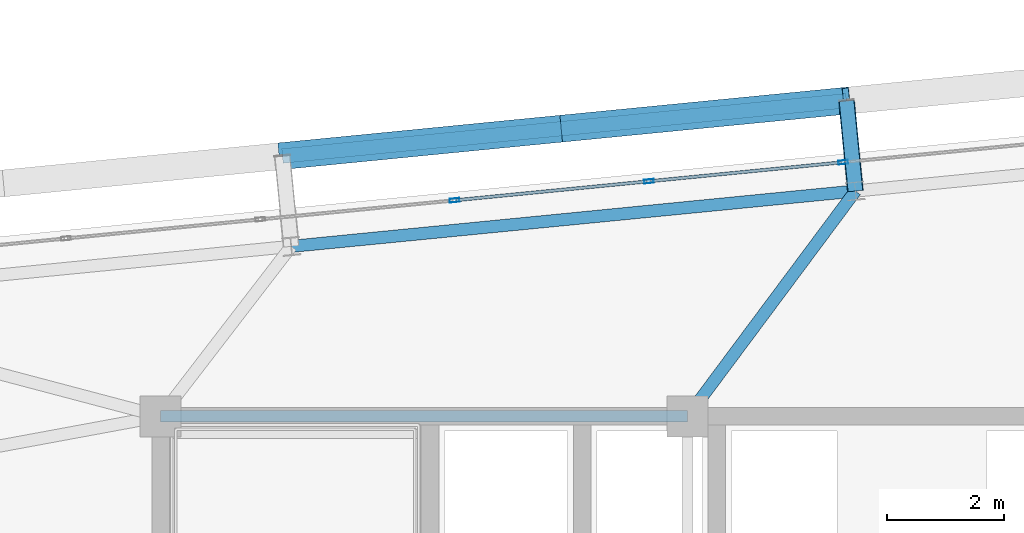
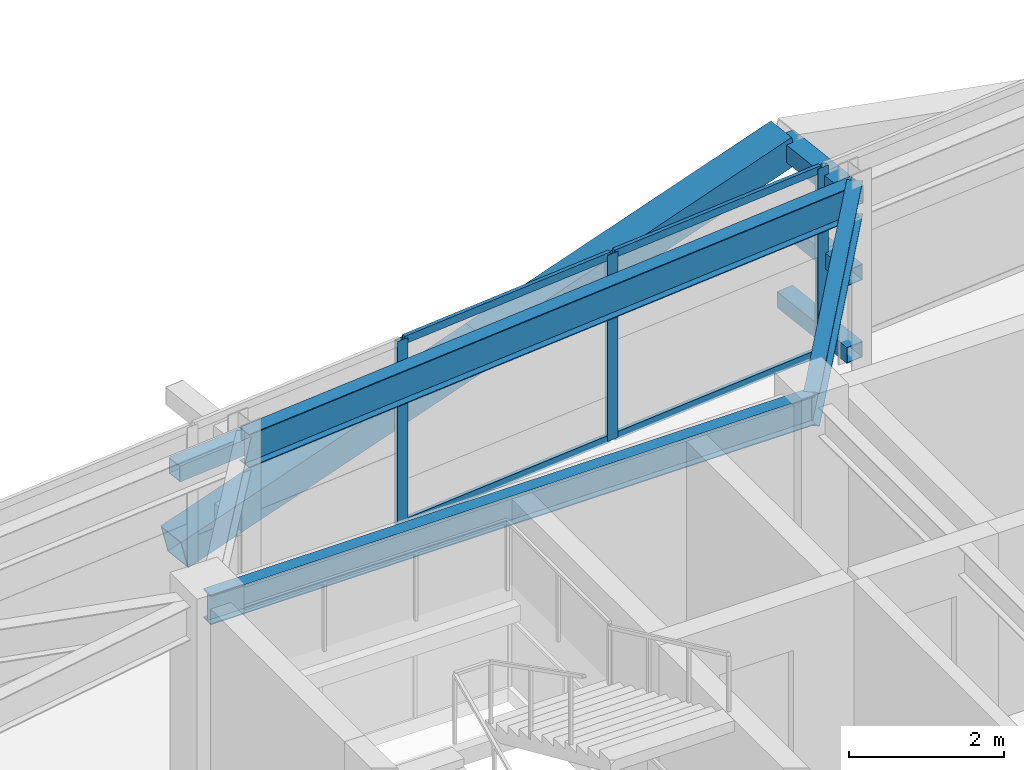
# One storey, part 29 of 52: 13 members, 3 beams, 1 element without a shape of its own.
"""IFC4 building model written with IfcOpenShell, lengths in metres."""

from ifc_helpers import new_model, si_unit, direction, frame, origin, origin_2d, place, context, subcontext, project, spatial, hollow_rectangle, i_section, extrude, source, transform, mapped, material, layer, layer_set, material_profile, profile_set, type_object, element, aggregate, save


model = new_model("IFC4")

# Units and contexts
model_context = context("Model", 3, precision=1e-05, world=origin(), true_north=direction((0.0, 1.0)))
body_context = subcontext(model_context, "Body", "Model", "MODEL_VIEW")
ifc_project = project(units=[si_unit("LENGTHUNIT", "METRE"), si_unit("AREAUNIT", "SQUARE_METRE"), si_unit("VOLUMEUNIT", "CUBIC_METRE"), si_unit("PLANEANGLEUNIT", "RADIAN"), si_unit("MASSUNIT", "GRAM", prefix="KILO")], contexts=[model_context])

# Site, building, storey
site_placement = place(None, origin())
site = spatial("IfcSite", under=ifc_project, at=site_placement, CompositionType="ELEMENT")
building_placement = place(site_placement, origin())
building = spatial("IfcBuilding", under=site, at=building_placement, Name="Taldren Reach Tower", CompositionType="ELEMENT")
storey_placement = place(building_placement, frame((0.0, 0.0, 77.699951171875)))
storey = spatial("IfcBuildingStorey", under=building, at=storey_placement, Name="L23", CompositionType="ELEMENT", Elevation=77.699951171875)

# Beam
ifc_material_1 = material(Name="Steel Gr 350 (350PLUS)", Category="steel")
ifc_material_profile_1 = material_profile(ifc_material_1, i_section(OverallWidth=0.19091796875, OverallDepth=0.4599609375, WebThickness=0.010009765625, FlangeThickness=0.01611328125, at=origin_2d()), Name="460UB82.1")
ifc_profile_set_1 = profile_set([ifc_material_profile_1], Name="Steel Gr 350 (350PLUS)")
beam_type_1 = type_object("IfcBeamType", Name="BM-UB460A", PredefinedType="BEAM", material=ifc_profile_set_1)
shared_shape_1 = source(origin(), body_context, "Body", "SweptSolid", [
    extrude(i_section(OverallWidth=0.19091796875, OverallDepth=0.4599609375, WebThickness=0.010009765625, FlangeThickness=0.01611328125, at=origin_2d()), origin(), (0.0, 0.0, 1.0), 9.0),
])
beam_1_placement = place(storey_placement, frame((19.0, 32.0, 2.699951171875), z_axis=(1.0, 0.0, 0.0), x_axis=(0.0, 1.0, 0.0)))
element("IfcBeam", 1, at=beam_1_placement, inside=storey, type_object=beam_type_1, Name="Core-spine girder L23-SP04", PredefinedType="BEAM", context=body_context, shape_type="MappedRepresentation", body=[
    mapped(shared_shape_1, transform((0.0, 0.0, 0.0), scale=1.0)),
])

# Members
ifc_material_2 = material(Name="Steel Gr 450 (C450L0)", Category="steel")
ifc_material_profile_2 = material_profile(ifc_material_2, hollow_rectangle(XDim=0.27490234375, YDim=0.27490234375, WallThickness=0.00927734375, at=origin_2d()), Name="275x275x9.3SHS")
ifc_profile_set_2 = profile_set([ifc_material_profile_2], Name="Steel Gr 450 (C450L0)")
member_type_1 = type_object("IfcMemberType", Name="MB-TIE273", PredefinedType="STRUT", material=ifc_profile_set_2)
shared_shape_2 = source(origin(), body_context, "Body", "SweptSolid", [
    extrude(hollow_rectangle(XDim=0.27490234375, YDim=0.27490234375, WallThickness=0.00927734375, at=origin_2d()), origin(), (0.0, 0.0, 1.0), 1.5498046875),
])
member_1_placement = place(storey_placement, frame((30.864501953125, 35.84619140625, 2.650146484375), z_axis=(-0.097663201064, 0.995219523099, 0.0), x_axis=(-0.995219523099, -0.097663201064, 0.0)))
element("IfcMember", 2, at=member_1_placement, inside=storey, type_object=member_type_1, Name="Exoskeleton diaphragm tie strut B2-N3 L23", PredefinedType="STRUT", context=body_context, shape_type="MappedRepresentation", body=[
    mapped(shared_shape_2, transform((0.0, 0.0, 0.0), scale=1.0)),
])
ifc_material_3 = material(Name="Steel Gr 350 (C350L0)", Category="steel")
ifc_material_profile_3 = material_profile(ifc_material_3, hollow_rectangle(XDim=0.25, YDim=0.25, WallThickness=0.010009765625, at=origin_2d()), Name="250x250x10.0SHS")
ifc_profile_set_3 = profile_set([ifc_material_profile_3], Name="Steel Gr 350 (C350L0)")
member_type_2 = type_object("IfcMemberType", Name="MB-POST250", PredefinedType="POST", material=ifc_profile_set_3)
shared_shape_3 = source(origin(), body_context, "Body", "SweptSolid", [
    extrude(hollow_rectangle(XDim=0.25, YDim=0.25, WallThickness=0.010009765625, at=origin_2d()), origin(), (0.0, 0.0, 1.0), 1.5498046875),
])
for number, where, z_axis, x_axis, name in (
    (3, (30.864501953125, 35.84619140625, 0.219970703125), (-0.097663201064, 0.995219523099, 0.0), (-0.995219523099, -0.097663201064, 0.0), "Exoskeleton base diaphragm tie strut B2-N3 L23"),
    (4, (30.864501953125, 35.84619140625, 1.43505859375), (-0.097663201064, 0.995219523099, 0.0), (-0.995219523099, -0.097663201064, 0.0), "Exoskeleton mid-tier diaphragm tie B2-N3 L23"),
):
    element("IfcMember", number, at=place(storey_placement, frame(where, z_axis=z_axis, x_axis=x_axis)), inside=storey, type_object=member_type_2, Name=name, PredefinedType="POST", context=body_context, shape_type="MappedRepresentation", body=[
        mapped(shared_shape_3, transform((0.0, 0.0, 0.0), scale=1.0)),
    ])

# Beams
ifc_material_profile_4 = material_profile(ifc_material_1, i_section(OverallWidth=0.208984375, OverallDepth=0.528076171875, WebThickness=0.009521484375, FlangeThickness=0.01318359375, at=origin_2d()), Name="530UB82.0")
ifc_profile_set_4 = profile_set([ifc_material_profile_4], Name="Steel Gr 350 (350PLUS)")
beam_type_2 = type_object("IfcBeamType", Name="SP-UB530B", PredefinedType="SPANDREL", material=ifc_profile_set_4)
shared_shape_4 = source(origin(), body_context, "Body", "SweptSolid", [
    extrude(i_section(OverallWidth=0.208984375, OverallDepth=0.528076171875, WebThickness=0.009521484375, FlangeThickness=0.01318359375, at=origin_2d()), origin(), (0.0, 0.0, 1.0), 9.679931640625),
])
beam_2_placement = place(storey_placement, frame((30.864501953125, 35.84619140625, 2.666015625), z_axis=(-0.995225162995, -0.097605711627, 0.0), x_axis=(0.097605711627, -0.995225162995, 0.0)))
element("IfcBeam", 5, at=beam_2_placement, inside=storey, type_object=beam_type_2, Name="Perimeter spandrel B2 N3-N2 L23", PredefinedType="SPANDREL", context=body_context, shape_type="MappedRepresentation", body=[
    mapped(shared_shape_4, transform((0.0, 0.0, 0.0), scale=1.0)),
])
ifc_material_profile_5 = material_profile(ifc_material_1, i_section(OverallWidth=0.208984375, OverallDepth=0.532958984375, WebThickness=0.01025390625, FlangeThickness=0.015625, at=origin_2d()), Name="530UB92.4")
ifc_profile_set_5 = profile_set([ifc_material_profile_5], Name="Steel Gr 350 (350PLUS)")
beam_type_3 = type_object("IfcBeamType", Name="BM-UB530A", PredefinedType="BEAM", material=ifc_profile_set_5)
shared_shape_5 = source(origin(), body_context, "Body", "SweptSolid", [
    extrude(i_section(OverallWidth=0.208984375, OverallDepth=0.532958984375, WebThickness=0.01025390625, FlangeThickness=0.015625, at=origin_2d()), origin(), (0.0, 0.0, 1.0), 4.795654296875),
])
beam_3_placement = place(storey_placement, frame((28.0, 32.0, 2.66357421875), z_axis=(0.59730864792, 0.802011458223, 0.0), x_axis=(-0.802011458223, 0.59730864792, 0.0)))
element("IfcBeam", 6, at=beam_3_placement, inside=storey, type_object=beam_type_3, Name="Primary floor girder B2-N3 L23", PredefinedType="BEAM", context=body_context, shape_type="MappedRepresentation", body=[
    mapped(shared_shape_5, transform((0.0, 0.0, 0.0), scale=1.0)),
])

# Members
ifc_material_profile_6 = material_profile(ifc_material_2, hollow_rectangle(XDim=0.4599609375, YDim=0.4599609375, WallThickness=0.01611328125, at=origin_2d()), Name="460x460x16.0SHS")
ifc_profile_set_6 = profile_set([ifc_material_profile_6], Name="Steel Gr 450 (C450L0)")
member_type_3 = type_object("IfcMemberType", Name="MB-EXO457", PredefinedType="BRACE", material=ifc_profile_set_6)
shared_shape_6 = source(origin(), body_context, "Body", "SweptSolid", [
    extrude(hollow_rectangle(XDim=0.4599609375, YDim=0.4599609375, WallThickness=0.01611328125, at=origin_2d()), origin(), (0.0, 0.0, 1.0), 4.990234375),
])
for number, where, z_axis, x_axis, name in (
    (7, (21.079345703125, 36.444091796875, 0.219970703125), (0.965271056716, 0.094667992638, 0.243494883389), (-0.097605711627, 0.995225162995, 0.0), "Exoskeleton Diagrid Brace B2-N2 L23"),
    (8, (25.896240234375, 36.91650390625, 1.43505859375), (0.965275526283, 0.094619506732, 0.243496010862), (-0.097555749586, 0.995230061706, 0.0), "Exoskeleton Diagrid Brace B2-N2 L23"),
):
    element("IfcMember", number, at=place(storey_placement, frame(where, z_axis=z_axis, x_axis=x_axis)), inside=storey, type_object=member_type_3, Name=name, PredefinedType="BRACE", context=body_context, shape_type="MappedRepresentation", body=[
        mapped(shared_shape_6, transform((0.0, 0.0, 0.0), scale=1.0)),
    ])
shared_shape_7 = source(origin(), body_context, "Body", "SweptSolid", [
    extrude(hollow_rectangle(XDim=0.25, YDim=0.25, WallThickness=0.010009765625, at=origin_2d()), origin(), (0.0, 0.0, 1.0), 9.679931640625),
])
member_2_placement = place(storey_placement, frame((21.079345703125, 36.444091796875, 1.43505859375), z_axis=(0.995227612658, 0.097580730699, 0.0), x_axis=(-0.097580730699, 0.995227612658, 0.0)))
element("IfcMember", 9, at=member_2_placement, inside=storey, type_object=member_type_2, Name="Exoskeleton mid-height ring chord B2-N2 L23", PredefinedType="POST", context=body_context, shape_type="MappedRepresentation", body=[
    mapped(shared_shape_7, transform((0.0, 0.0, 0.0), scale=1.0)),
])

# Curtain wall, members
ifc_material_4 = material(Name="Aluminium and Low-E Glass Unitised System", Category="aluminium")
ifc_layer = layer(ifc_material_4, 0.159912109375)
ifc_layer_set = layer_set([ifc_layer], Name="Aluminium and Low-E Glass Unitised System")
curtain_wall_type = type_object("IfcCurtainWallType", Name="CW-SYS-3", PredefinedType="NOTDEFINED", material=ifc_layer_set)
curtain_wall_placement = place(storey_placement, origin())
curtain_wall = element("IfcCurtainWall", 10, at=curtain_wall_placement, inside=storey, type_object=curtain_wall_type, Name="Unitised curtain wall CW-L23-N", PredefinedType="NOTDEFINED")
ifc_material_5 = material(Name="Anodised Aluminium 6063-T6", Category="aluminium")
ifc_material_profile_7 = material_profile(ifc_material_5, hollow_rectangle(XDim=0.06494140625, YDim=0.1650390625, WallThickness=0.00390625, at=origin_2d()), Name="ALU-165x65x4RHS")
ifc_profile_set_7 = profile_set([ifc_material_profile_7], Name="Anodised Aluminium 6063-T6")
member_type_4 = type_object("IfcMemberType", Name="CW-MUL-165", PredefinedType="MULLION", material=ifc_profile_set_7)
shared_shape_8 = source(origin(), body_context, "Body", "SweptSolid", [
    extrude(hollow_rectangle(XDim=0.06494140625, YDim=0.1650390625, WallThickness=0.00390625, at=origin_2d()), origin(), (0.0, 0.0, 1.0), 2.929931640625),
])
member_3_placement = place(storey_placement, frame((30.655517578125, 36.338134765625, 0.0), z_axis=(0.0, 0.0, 1.0), x_axis=(0.097582999046, -0.995227390247, 0.0)))
member_3 = element("IfcMember", 11, at=member_3_placement, type_object=member_type_4, Name="CW-3 mullion 10", PredefinedType="MULLION", context=body_context, shape_type="MappedRepresentation", body=[
    mapped(shared_shape_8, transform((0.0, 0.0, 0.0), scale=1.0)),
])
member_4_placement = place(storey_placement, frame((27.337890625, 36.0126953125, 0.0), z_axis=(0.0, 0.0, 1.0), x_axis=(0.097582999046, -0.995227390247, 0.0)))
member_4 = element("IfcMember", 12, at=member_4_placement, type_object=member_type_4, Name="CW-3 mullion 11", PredefinedType="MULLION", context=body_context, shape_type="MappedRepresentation", body=[
    mapped(shared_shape_8, transform((0.0, 0.0, 0.0), scale=1.0)),
])
member_5_placement = place(storey_placement, frame((24.0205078125, 35.6875, 0.0), z_axis=(0.0, 0.0, 1.0), x_axis=(0.097582999046, -0.995227390247, 0.0)))
member_5 = element("IfcMember", 13, at=member_5_placement, type_object=member_type_4, Name="CW-3 mullion 12", PredefinedType="MULLION", context=body_context, shape_type="MappedRepresentation", body=[
    mapped(shared_shape_8, transform((0.0, 0.0, 0.0), scale=1.0)),
])
ifc_material_profile_8 = material_profile(ifc_material_5, hollow_rectangle(XDim=0.054931640625, YDim=0.1201171875, WallThickness=0.0029296875, at=origin_2d()), Name="ALU-120x55x3RHS")
ifc_profile_set_8 = profile_set([ifc_material_profile_8], Name="Anodised Aluminium 6063-T6")
member_type_5 = type_object("IfcMemberType", Name="CW-TRN-135", PredefinedType="USERDEFINED", material=ifc_profile_set_8)
shared_shape_9 = source(origin(), body_context, "Body", "SweptSolid", [
    extrude(hollow_rectangle(XDim=0.054931640625, YDim=0.1201171875, WallThickness=0.0029296875, at=origin_2d()), origin(), (0.0, 0.0, 1.0), 3.268310546875),
])
member_6_placement = place(storey_placement, frame((30.623046875, 36.3349609375, 0.027587890625), z_axis=(-0.995222549564, -0.097632355496, 0.0), x_axis=(0.097632355496, -0.995222549564, 0.0)))
member_6 = element("IfcMember", 14, at=member_6_placement, type_object=member_type_5, Name="CW-3 transom 10.1", ObjectType="TRANSOM", PredefinedType="USERDEFINED", context=body_context, shape_type="MappedRepresentation", body=[
    mapped(shared_shape_9, transform((0.0, 0.0, 0.0), scale=1.0)),
])
member_7_placement = place(storey_placement, frame((30.623046875, 36.3349609375, 2.902587890625), z_axis=(-0.995222549564, -0.097632355496, 0.0), x_axis=(0.097632355496, -0.995222549564, 0.0)))
member_7 = element("IfcMember", 15, at=member_7_placement, type_object=member_type_5, Name="CW-3 transom 10.2", ObjectType="TRANSOM", PredefinedType="USERDEFINED", context=body_context, shape_type="MappedRepresentation", body=[
    mapped(shared_shape_9, transform((0.0, 0.0, 0.0), scale=1.0)),
])
member_8_placement = place(storey_placement, frame((27.3056640625, 36.009521484375, 0.027587890625), z_axis=(-0.99522980512, -0.097558367146, 0.0), x_axis=(0.097558367146, -0.99522980512, 0.0)))
member_8 = element("IfcMember", 16, at=member_8_placement, type_object=member_type_5, Name="CW-3 transom 11.1", ObjectType="TRANSOM", PredefinedType="USERDEFINED", context=body_context, shape_type="MappedRepresentation", body=[
    mapped(shared_shape_9, transform((0.0, 0.0, 0.0), scale=1.0)),
])
member_9_placement = place(storey_placement, frame((27.3056640625, 36.009521484375, 2.902587890625), z_axis=(-0.99522980512, -0.097558367146, 0.0), x_axis=(0.097558367146, -0.99522980512, 0.0)))
member_9 = element("IfcMember", 17, at=member_9_placement, type_object=member_type_5, Name="CW-3 transom 11.2", ObjectType="TRANSOM", PredefinedType="USERDEFINED", context=body_context, shape_type="MappedRepresentation", body=[
    mapped(shared_shape_9, transform((0.0, 0.0, 0.0), scale=1.0)),
])
aggregate(curtain_wall, [member_3, member_4, member_5, member_6, member_7, member_8, member_9])

save(model, "model.ifc")
